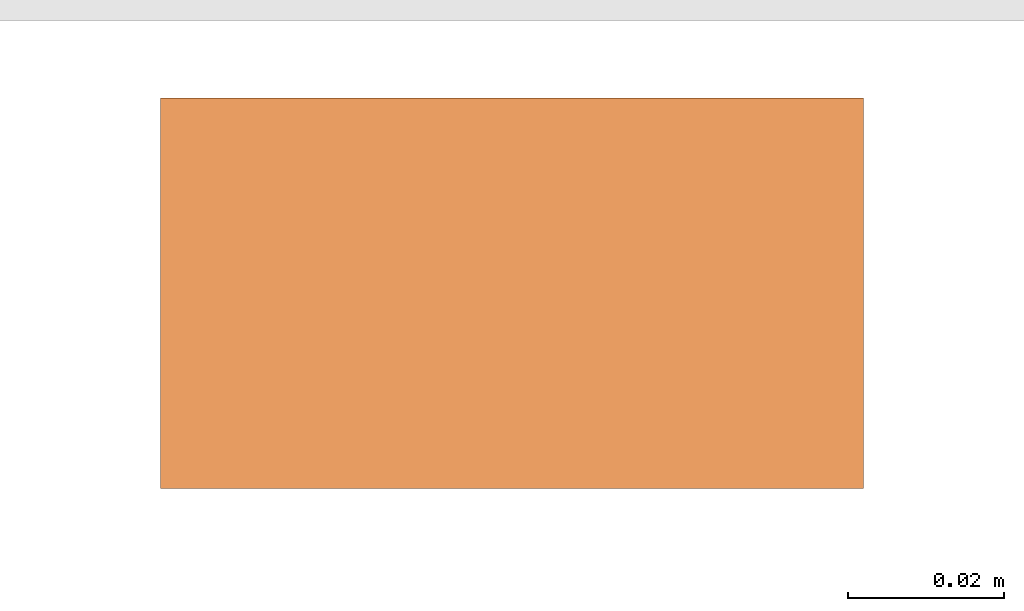
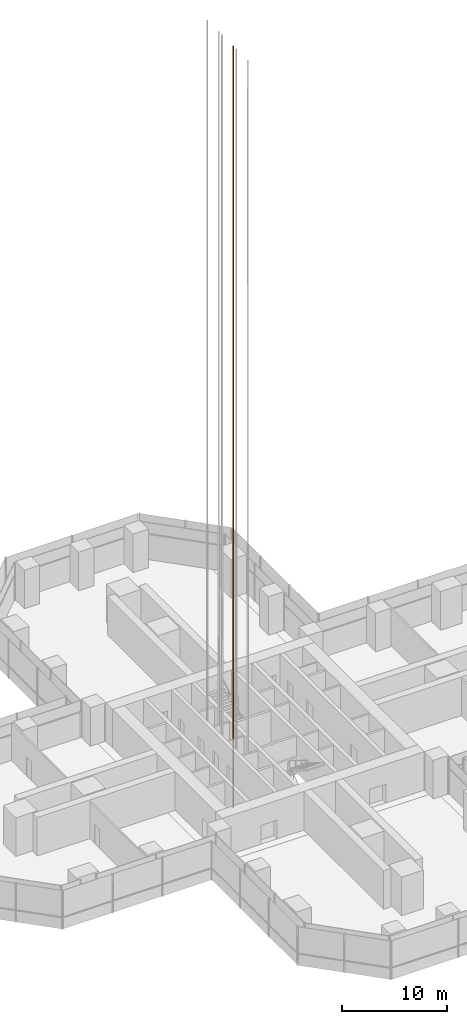
# One storey, part 24 of 27: 1 proxy.
"""IFC4 building model written with IfcOpenShell, lengths in metres."""

from ifc_helpers import new_model, si_unit, direction, frame, origin, origin_2d, place, context, subcontext, project, spatial, rectangle, extrude, material, element, save


model = new_model("IFC4")

# Units and contexts
model_context = context("Model", 3, precision=1e-05, world=origin(), true_north=direction((0.0, 1.0)))
body_context = subcontext(model_context, "Body", "Model", "MODEL_VIEW")
ifc_project = project(units=[si_unit("LENGTHUNIT", "METRE"), si_unit("AREAUNIT", "SQUARE_METRE"), si_unit("VOLUMEUNIT", "CUBIC_METRE"), si_unit("PLANEANGLEUNIT", "RADIAN"), si_unit("MASSUNIT", "GRAM", prefix="KILO")], contexts=[model_context])

# Site, building, storey
site_placement = place(None, origin())
site = spatial("IfcSite", under=ifc_project, at=site_placement, CompositionType="ELEMENT")
building_placement = place(site_placement, origin())
building = spatial("IfcBuilding", under=site, at=building_placement, Name="Mizan Broadcast Tower", CompositionType="ELEMENT")
storey_placement = place(building_placement, frame((0.0, 0.0, 113.699951171875)))
storey = spatial("IfcBuildingStorey", under=building, at=storey_placement, Name="L25", CompositionType="ELEMENT", Elevation=113.699951171875)

# Proxy
ifc_material = material(Name="Steel guide rail", Category="steel")
proxy_placement = place(storey_placement, frame((-3.324951171875, 0.2900390625, -3.89990234375), z_axis=(0.0, 0.0, 1.0), x_axis=(1.0, 0.0, 0.0)))
element("IfcBuildingElementProxy", 1, at=proxy_placement, inside=storey, material=ifc_material, Name="Guide rail LB2-1", PredefinedType="NOTDEFINED", context=body_context, shape_type="SweptSolid", body=[
    extrude(rectangle(XDim=0.090087890625, YDim=0.050048828125, at=origin_2d()), origin(), (0.0, 0.0, 1.0), 88.8701171875),
])

save(model, "model.ifc")
